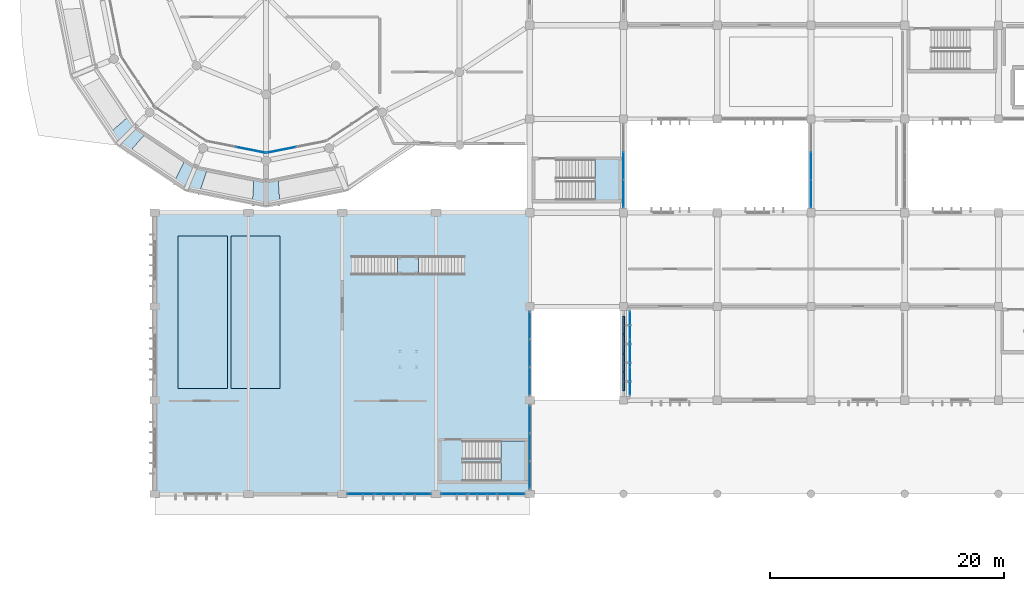
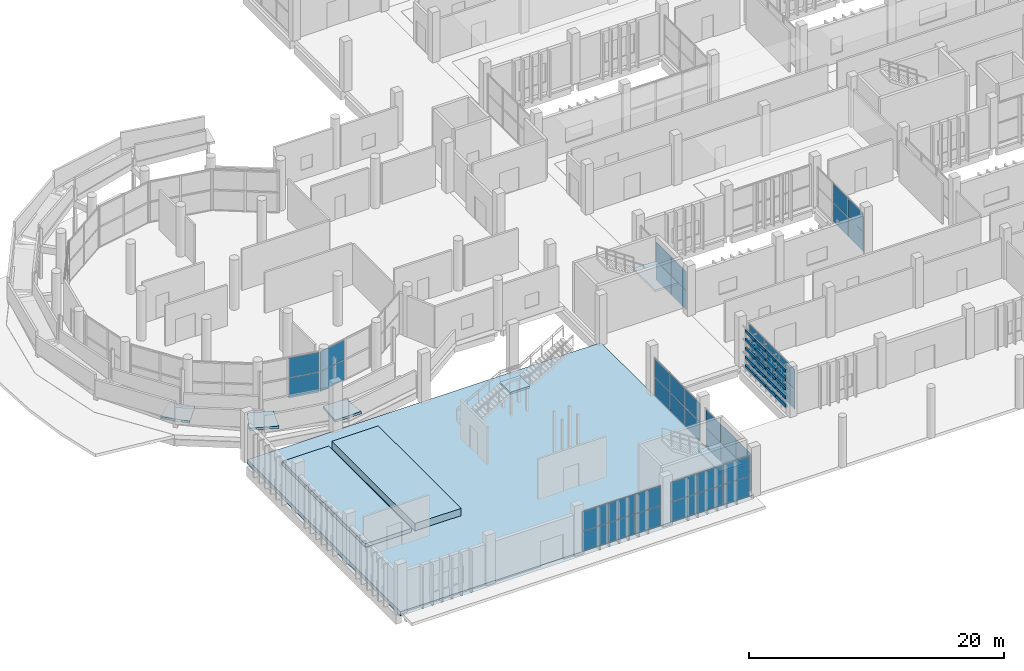
# One storey, part 75 of 117: 62 plates, 9 slabs, 13 elements without a shape of their own.
"""IFC4 building model written with IfcOpenShell, lengths in metres."""

import ifcopenshell
import ifcopenshell.guid

model = None  # the IFC model being written
_history = None  # IfcOwnerHistory: only IFC2X3 demands one
_inside = {}  # id of a spatial element -> (the spatial element, [elements in it])
_under = {}  # id of a project, library or spatial element -> (it, [spatial elements below it])
_declared = {}  # id of a project -> (the project, [libraries it declares])
_typed = {}  # id of a type object -> (the type object, [elements of that type])
_made_of = {}  # id of a material, layer set ... -> (it, [elements and type objects made of it])


def new_model(schema):
    """Start an empty IFC model of exactly this schema.

    Asked for "IFC4X3", IfcOpenShell would pick the latest addendum, in which some entities
    have other attributes; the version numbers below select the first issue.
    IFC2X3 requires an IfcOwnerHistory on every rooted entity: one is made here for all.
    """
    global model, _history
    if schema == "IFC4X3":
        model = ifcopenshell.file(schema_version=(4, 3, 0, 0))
    else:
        model = ifcopenshell.file(schema=schema)
    _inside.clear()
    _under.clear()
    _declared.clear()
    _typed.clear()
    _made_of.clear()
    _history = None
    if model.schema == "IFC2X3":
        org = make("IfcOrganization", Name="unknown")
        user = make(
            "IfcPersonAndOrganization",
            ThePerson=make("IfcPerson", FamilyName="unknown"),
            TheOrganization=org,
        )
        app = make(
            "IfcApplication",
            ApplicationDeveloper=org,
            Version="unknown",
            ApplicationFullName="unknown",
            ApplicationIdentifier="unknown",
        )
        _history = make(
            "IfcOwnerHistory",
            OwningUser=user,
            OwningApplication=app,
            ChangeAction="ADDED",
            CreationDate=0,
        )
    return model


def make(cls, **values):
    """One entity of the class cls with the attributes given. An attribute that is None is left unset."""
    return model.create_entity(
        cls, **{name: value for name, value in values.items() if value is not None}
    )


def rooted(cls, **values):
    """An entity with a GlobalId (a new one), such as an element, a storey or a relation."""
    return make(cls, GlobalId=ifcopenshell.guid.new(), OwnerHistory=_history, **values)


def si_unit(unit_type, name, prefix=None):
    """IfcSIUnit, for example si_unit("LENGTHUNIT", "METRE", prefix="MILLI")."""
    return make("IfcSIUnit", UnitType=unit_type, Prefix=prefix, Name=name)


def assignment(units):
    """IfcUnitAssignment: the units of a project."""
    return None if units is None else make("IfcUnitAssignment", Units=units)


def point(xyz):
    """IfcCartesianPoint."""
    return None if xyz is None else make("IfcCartesianPoint", Coordinates=xyz)


def direction(xyz):
    """IfcDirection."""
    return None if xyz is None else make("IfcDirection", DirectionRatios=xyz)


def frame(location, z_axis=None, x_axis=None):
    """IfcAxis2Placement3D, a coordinate frame: its origin and axes. An axis left out is left unset."""
    return make(
        "IfcAxis2Placement3D",
        Location=point(location),
        Axis=direction(z_axis),
        RefDirection=direction(x_axis),
    )


def frame_2d(location, x_axis=None):
    """IfcAxis2Placement2D, a coordinate frame in the plane: its origin and x axis."""
    return make(
        "IfcAxis2Placement2D", Location=point(location), RefDirection=direction(x_axis)
    )


def origin():
    """The frame at (0, 0, 0) with its axes left unset."""
    return frame((0.0, 0.0, 0.0))


def origin_2d():
    """The frame at (0, 0) in the plane with its x axis left unset."""
    return frame_2d((0.0, 0.0))


def place(relative_to, where):
    """IfcLocalPlacement: puts the frame where relative to a parent placement (None: the world)."""
    return make(
        "IfcLocalPlacement", PlacementRelTo=relative_to, RelativePlacement=where
    )


def context(
    kind, dimensions, precision=None, world=None, true_north=None, identifier=None
):
    """IfcGeometricRepresentationContext, for example the 3D "Model" context."""
    return make(
        "IfcGeometricRepresentationContext",
        ContextIdentifier=identifier,
        ContextType=kind,
        CoordinateSpaceDimension=dimensions,
        Precision=precision,
        WorldCoordinateSystem=world,
        TrueNorth=true_north,
    )


def subcontext(parent, identifier, kind, view, scale=None):
    """IfcGeometricRepresentationSubContext, for example "Body" below "Model"."""
    return make(
        "IfcGeometricRepresentationSubContext",
        ContextIdentifier=identifier,
        ContextType=kind,
        ParentContext=parent,
        TargetScale=scale,
        TargetView=view,
    )


def project(units=None, contexts=None):
    """IfcProject with its units and contexts."""
    return rooted(
        "IfcProject",
        Name="project",
        RepresentationContexts=contexts,
        UnitsInContext=assignment(units),
    )


def spatial(cls, under=None, at=None, **own):
    """A site, building, storey or space (cls), placed at a placement, below another one or the project."""
    s = rooted(cls, ObjectPlacement=at, **own)
    if under is not None:
        _under.setdefault(under.id(), (under, []))[1].append(s)
    return s


def polyline(points):
    """IfcPolyline through the points."""
    return make("IfcPolyline", Points=[point(p) for p in points])


def profile(cls, at=None, kind="AREA", **sizes):
    """A parametric profile (cls). Its sizes go by their IFC names, for example OverallWidth=200.0."""
    return make(cls, ProfileType=kind, Position=at, **sizes)


def rectangle(**sizes):
    """IfcRectangleProfileDef."""
    return profile("IfcRectangleProfileDef", **sizes)


def outline(outer, holes=None, kind="AREA"):
    """IfcArbitraryClosedProfileDef: a profile drawn as a closed curve; with holes, ...WithVoids."""
    if holes is None:
        return make("IfcArbitraryClosedProfileDef", ProfileType=kind, OuterCurve=outer)
    return make(
        "IfcArbitraryProfileDefWithVoids",
        ProfileType=kind,
        OuterCurve=outer,
        InnerCurves=holes,
    )


def extrude(swept, where, along, depth):
    """IfcExtrudedAreaSolid: the profile swept, set in the frame where, extruded along a direction by depth."""
    return make(
        "IfcExtrudedAreaSolid",
        SweptArea=swept,
        Position=where,
        ExtrudedDirection=direction(along),
        Depth=depth,
    )


def shape(context_of_items, identifier, shape_type, items):
    """IfcShapeRepresentation: the items that make up one representation, for example the "Body"."""
    return make(
        "IfcShapeRepresentation",
        ContextOfItems=context_of_items,
        RepresentationIdentifier=identifier,
        RepresentationType=shape_type,
        Items=items,
    )


def material(Name=None, Category=None):
    """IfcMaterial."""
    return make("IfcMaterial", Name=Name, Category=Category)


def layer(
    of_material, thickness, ventilated=None, Name=None, Category=None, Priority=None
):
    """IfcMaterialLayer: one layer of a wall or slab, of a material (None: an air gap)."""
    return make(
        "IfcMaterialLayer",
        Material=of_material,
        LayerThickness=thickness,
        IsVentilated=ventilated,
        Name=Name,
        Category=Category,
        Priority=Priority,
    )


def layer_set(layers, Name=None):
    """IfcMaterialLayerSet."""
    return make("IfcMaterialLayerSet", MaterialLayers=layers, LayerSetName=Name)


def made_of(thing, what):
    """Note that an element or type object is made of a material, layer set ...; save() writes the relation."""
    if what is not None:
        _made_of.setdefault(what.id(), (what, []))[1].append(thing)
    return thing


def type_object(cls, material=None, **own):
    """A type object (cls), such as IfcWallType, which elements share."""
    return made_of(rooted(cls, **own), material)


def element(
    cls,
    number,
    at=None,
    inside=None,
    cuts=None,
    type_object=None,
    material=None,
    context=None,
    identifier="Body",
    shape_type=None,
    held_by="IfcProductDefinitionShape",
    body=None,
    shapes=None,
    **own,
):
    """One element of the class cls, such as IfcWall. Its Tag is "e" and its number.

    at: its placement. inside: the storey or other place that contains it. cuts: it is an
    opening in that element (IfcRelVoidsElement). A single representation is given by context,
    identifier, shape_type and body (its items); several are given by shapes. held_by: the class
    of the entity that holds the representations. save() writes the other relations.
    """
    e = rooted(cls, Tag="e%d" % number, ObjectPlacement=at, **own)
    if body is not None:
        shapes = [shape(context, identifier, shape_type, body)]
    if shapes is not None:
        e.Representation = make(held_by, Representations=shapes)
    if inside is not None:
        _inside.setdefault(inside.id(), (inside, []))[1].append(e)
    if cuts is not None:
        rooted(
            "IfcRelVoidsElement", RelatingBuildingElement=cuts, RelatedOpeningElement=e
        )
    if type_object is not None:
        _typed.setdefault(type_object.id(), (type_object, []))[1].append(e)
    return made_of(e, material)


def aggregate(whole, parts):
    """IfcRelAggregates: a whole, such as a stair, and the parts it consists of."""
    return rooted("IfcRelAggregates", RelatingObject=whole, RelatedObjects=parts)


def save(model, path):
    """Write the relations noted so far, then the file.

    IfcRelAggregates (storeys below a building ...), IfcRelContainedInSpatialStructure (elements
    in a storey), IfcRelDefinesByType, IfcRelAssociatesMaterial and IfcRelDeclares: one each for
    every whole, place, type object, material and project.
    """
    for whole, parts in _under.values():
        aggregate(whole, parts)
    for where, things in _inside.values():
        rooted(
            "IfcRelContainedInSpatialStructure",
            RelatedElements=things,
            RelatingStructure=where,
        )
    for kind, things in _typed.values():
        rooted("IfcRelDefinesByType", RelatedObjects=things, RelatingType=kind)
    for what, things in _made_of.values():
        rooted("IfcRelAssociatesMaterial", RelatedObjects=things, RelatingMaterial=what)
    for by, libraries in _declared.values():
        rooted("IfcRelDeclares", RelatingContext=by, RelatedDefinitions=libraries)
    model.write(path)


model = new_model("IFC4")

# Units and contexts
model_context = context("Model", 3, precision=1e-05, world=origin(), true_north=direction((0.0, 1.0)))
body_context = subcontext(model_context, "Body", "Model", "MODEL_VIEW")
ifc_project = project(units=[si_unit("LENGTHUNIT", "METRE"), si_unit("AREAUNIT", "SQUARE_METRE"), si_unit("VOLUMEUNIT", "CUBIC_METRE"), si_unit("PLANEANGLEUNIT", "RADIAN"), si_unit("MASSUNIT", "GRAM", prefix="KILO")], contexts=[model_context])

# Site, building, storey
site_placement = place(None, origin())
site = spatial("IfcSite", under=ifc_project, at=site_placement, CompositionType="ELEMENT")
building_placement = place(site_placement, origin())
building = spatial("IfcBuilding", under=site, at=building_placement, Name="Jelvoka-Kovrelna Polytechnic", CompositionType="ELEMENT")
storey_placement = place(building_placement, origin())
storey = spatial("IfcBuildingStorey", under=building, at=storey_placement, Name="L01", CompositionType="ELEMENT", Elevation=0.0)

# Curtain wall, plates
ifc_material_1 = material(Name="Anodised aluminium 6063-T6", Category="aluminium")
ifc_layer_1 = layer(ifc_material_1, 0.159912109375)
ifc_layer_set_1 = layer_set([ifc_layer_1], Name="Anodised aluminium 6063-T6")
curtain_wall_type_1 = type_object("IfcCurtainWallType", Name="CW_Recessed_A", PredefinedType="NOTDEFINED", material=ifc_layer_set_1)
curtain_wall_1_placement = place(storey_placement, origin())
curtain_wall_1 = element("IfcCurtainWall", 1, at=curtain_wall_1_placement, inside=storey, type_object=curtain_wall_type_1, Name="L01 glazed curtain wall 001", PredefinedType="NOTDEFINED")
ifc_material_2 = material(Name="Solar-control double glazing", Category="glass")
ifc_layer_2 = layer(ifc_material_2, 0.028076171875)
ifc_layer_set_2 = layer_set([ifc_layer_2], Name="Solar-control double glazing")
plate_type_1 = type_object("IfcPlateType", Name="Panel_GP-01", PredefinedType="CURTAIN_PANEL", material=ifc_layer_set_2)
plate_1_placement = place(storey_placement, frame((56.56005859375, 9.614990234375, 0.052001953125), z_axis=(0.0, 0.0, 1.0), x_axis=(0.0, 1.0, 0.0)))
plate_1 = element("IfcPlate", 2, at=plate_1_placement, type_object=plate_type_1, Name="CW-01 panel 1.1", PredefinedType="CURTAIN_PANEL", context=body_context, shape_type="SweptSolid", body=[
    extrude(rectangle(XDim=2.326171875, YDim=0.028076171875, at=origin_2d()), origin(), (0.0, 0.0, 1.0), 1.901123046875),
])
plate_2_placement = place(storey_placement, frame((56.56005859375, 9.614990234375, 1.996826171875), z_axis=(0.0, 0.0, 1.0), x_axis=(0.0, 1.0, 0.0)))
plate_2 = element("IfcPlate", 3, at=plate_2_placement, type_object=plate_type_1, Name="CW-01 panel 1.2", PredefinedType="CURTAIN_PANEL", context=body_context, shape_type="SweptSolid", body=[
    extrude(rectangle(XDim=2.326171875, YDim=0.028076171875, at=origin_2d()), origin(), (0.0, 0.0, 1.0), 1.901123046875),
])
plate_3_placement = place(storey_placement, frame((56.56005859375, 12.0, 0.052001953125), z_axis=(0.0, 0.0, 1.0), x_axis=(0.0, 1.0, 0.0)))
plate_3 = element("IfcPlate", 4, at=plate_3_placement, type_object=plate_type_1, Name="CW-01 panel 2.1", PredefinedType="CURTAIN_PANEL", context=body_context, shape_type="SweptSolid", body=[
    extrude(rectangle(XDim=2.356201171875, YDim=0.028076171875, at=origin_2d()), origin(), (0.0, 0.0, 1.0), 1.901123046875),
])
plate_4_placement = place(storey_placement, frame((56.56005859375, 12.0, 1.996826171875), z_axis=(0.0, 0.0, 1.0), x_axis=(0.0, 1.0, 0.0)))
plate_4 = element("IfcPlate", 5, at=plate_4_placement, type_object=plate_type_1, Name="CW-01 panel 2.2", PredefinedType="CURTAIN_PANEL", context=body_context, shape_type="SweptSolid", body=[
    extrude(rectangle(XDim=2.356201171875, YDim=0.028076171875, at=origin_2d()), origin(), (0.0, 0.0, 1.0), 1.901123046875),
])
plate_5_placement = place(storey_placement, frame((56.56005859375, 14.385009765625, 0.052001953125), z_axis=(0.0, 0.0, 1.0), x_axis=(0.0, 1.0, 0.0)))
plate_5 = element("IfcPlate", 6, at=plate_5_placement, type_object=plate_type_1, Name="CW-01 panel 3.1", PredefinedType="CURTAIN_PANEL", context=body_context, shape_type="SweptSolid", body=[
    extrude(rectangle(XDim=2.326171875, YDim=0.028076171875, at=origin_2d()), origin(), (0.0, 0.0, 1.0), 1.901123046875),
])
plate_6_placement = place(storey_placement, frame((56.56005859375, 14.385009765625, 1.996826171875), z_axis=(0.0, 0.0, 1.0), x_axis=(0.0, 1.0, 0.0)))
plate_6 = element("IfcPlate", 7, at=plate_6_placement, type_object=plate_type_1, Name="CW-01 panel 3.2", PredefinedType="CURTAIN_PANEL", context=body_context, shape_type="SweptSolid", body=[
    extrude(rectangle(XDim=2.326171875, YDim=0.028076171875, at=origin_2d()), origin(), (0.0, 0.0, 1.0), 1.901123046875),
])
aggregate(curtain_wall_1, [plate_1, plate_2, plate_3, plate_4, plate_5, plate_6])

ifc_material_3 = material(Name="Anodised aluminium 6063-T6", Category="aluminium")
ifc_layer_3 = layer(ifc_material_3, 0.159912109375)
ifc_layer_set_3 = layer_set([ifc_layer_3], Name="Anodised aluminium 6063-T6")
curtain_wall_type_2 = type_object("IfcCurtainWallType", Name="CW_LinkBridge", PredefinedType="NOTDEFINED", material=ifc_layer_set_3)
curtain_wall_2_placement = place(storey_placement, origin())
curtain_wall_2 = element("IfcCurtainWall", 8, at=curtain_wall_2_placement, inside=storey, type_object=curtain_wall_type_2, Name="L01 glazed curtain wall 104", PredefinedType="NOTDEFINED")
ifc_material_4 = material(Name="Solar-control double glazing", Category="glass")
ifc_layer_4 = layer(ifc_material_4, 0.02392578125)
ifc_layer_set_4 = layer_set([ifc_layer_4], Name="Solar-control double glazing")
plate_type_2 = type_object("IfcPlateType", Name="Panel_GP-04", PredefinedType="CURTAIN_PANEL", material=ifc_layer_set_4)
plate_7_placement = place(storey_placement, frame((72.0, 25.614990234375, 0.052001953125), z_axis=(0.0, 0.0, 1.0), x_axis=(0.0, 1.0, 0.0)))
plate_7 = element("IfcPlate", 9, at=plate_7_placement, type_object=plate_type_2, Name="CW-04 panel 1.1", PredefinedType="CURTAIN_PANEL", context=body_context, shape_type="SweptSolid", body=[
    extrude(rectangle(XDim=2.326171875, YDim=0.02392578125, at=origin_2d()), origin(), (0.0, 0.0, 1.0), 1.80615234375),
])
plate_8_placement = place(storey_placement, frame((72.0, 25.614990234375, 1.90185546875), z_axis=(0.0, 0.0, 1.0), x_axis=(0.0, 1.0, 0.0)))
plate_8 = element("IfcPlate", 10, at=plate_8_placement, type_object=plate_type_2, Name="CW-04 panel 1.2", PredefinedType="CURTAIN_PANEL", context=body_context, shape_type="SweptSolid", body=[
    extrude(rectangle(XDim=2.326171875, YDim=0.02392578125, at=origin_2d()), origin(), (0.0, 0.0, 1.0), 1.80615234375),
])
plate_9_placement = place(storey_placement, frame((72.0, 28.0, 0.052001953125), z_axis=(0.0, 0.0, 1.0), x_axis=(0.0, 1.0, 0.0)))
plate_9 = element("IfcPlate", 11, at=plate_9_placement, type_object=plate_type_2, Name="CW-04 panel 2.1", PredefinedType="CURTAIN_PANEL", context=body_context, shape_type="SweptSolid", body=[
    extrude(rectangle(XDim=2.356201171875, YDim=0.02392578125, at=origin_2d()), origin(), (0.0, 0.0, 1.0), 1.80615234375),
])
plate_10_placement = place(storey_placement, frame((72.0, 28.0, 1.90185546875), z_axis=(0.0, 0.0, 1.0), x_axis=(0.0, 1.0, 0.0)))
plate_10 = element("IfcPlate", 12, at=plate_10_placement, type_object=plate_type_2, Name="CW-04 panel 2.2", PredefinedType="CURTAIN_PANEL", context=body_context, shape_type="SweptSolid", body=[
    extrude(rectangle(XDim=2.356201171875, YDim=0.02392578125, at=origin_2d()), origin(), (0.0, 0.0, 1.0), 1.80615234375),
])
aggregate(curtain_wall_2, [plate_7, plate_8, plate_9, plate_10])

ifc_material_5 = material(Name="Anodised aluminium 6063-T6", Category="aluminium")
ifc_layer_5 = layer(ifc_material_5, 0.179931640625)
ifc_layer_set_5 = layer_set([ifc_layer_5], Name="Anodised aluminium 6063-T6")
curtain_wall_type_3 = type_object("IfcCurtainWallType", Name="CW_Pavilion", PredefinedType="NOTDEFINED", material=ifc_layer_set_5)
curtain_wall_3_placement = place(storey_placement, origin())
curtain_wall_3 = element("IfcCurtainWall", 13, at=curtain_wall_3_placement, inside=storey, type_object=curtain_wall_type_3, Name="L01 glazed curtain wall 108", PredefinedType="NOTDEFINED")
ifc_material_6 = material(Name="Solar-control double glazing", Category="glass")
ifc_layer_6 = layer(ifc_material_6, 0.030029296875)
ifc_layer_set_6 = layer_set([ifc_layer_6], Name="Solar-control double glazing")
plate_type_3 = type_object("IfcPlateType", Name="Panel_GP-05", PredefinedType="CURTAIN_PANEL", material=ifc_layer_set_6)
plate_11_placement = place(storey_placement, frame((56.0, 28.0, 0.056884765625), z_axis=(0.0, 0.0, 1.0), x_axis=(0.0, -1.0, 0.0)))
plate_11 = element("IfcPlate", 14, at=plate_11_placement, type_object=plate_type_3, Name="CW-05 panel 2.1", PredefinedType="CURTAIN_PANEL", context=body_context, shape_type="SweptSolid", body=[
    extrude(rectangle(XDim=2.35107421875, YDim=0.030029296875, at=origin_2d()), origin(), (0.0, 0.0, 1.0), 1.798583984375),
])
plate_12_placement = place(storey_placement, frame((56.0, 28.0, 1.904541015625), z_axis=(0.0, 0.0, 1.0), x_axis=(0.0, -1.0, 0.0)))
plate_12 = element("IfcPlate", 15, at=plate_12_placement, type_object=plate_type_3, Name="CW-05 panel 2.2", PredefinedType="CURTAIN_PANEL", context=body_context, shape_type="SweptSolid", body=[
    extrude(rectangle(XDim=2.35107421875, YDim=0.030029296875, at=origin_2d()), origin(), (0.0, 0.0, 1.0), 1.798583984375),
])
plate_13_placement = place(storey_placement, frame((56.0, 25.6162109375, 0.056884765625), z_axis=(0.0, 0.0, 1.0), x_axis=(0.0, -1.0, 0.0)))
plate_13 = element("IfcPlate", 16, at=plate_13_placement, type_object=plate_type_3, Name="CW-05 panel 3.1", PredefinedType="CURTAIN_PANEL", context=body_context, shape_type="SweptSolid", body=[
    extrude(rectangle(XDim=2.318603515625, YDim=0.030029296875, at=origin_2d()), origin(), (0.0, 0.0, 1.0), 1.798583984375),
])
plate_14_placement = place(storey_placement, frame((56.0, 25.6162109375, 1.904541015625), z_axis=(0.0, 0.0, 1.0), x_axis=(0.0, -1.0, 0.0)))
plate_14 = element("IfcPlate", 17, at=plate_14_placement, type_object=plate_type_3, Name="CW-05 panel 3.2", PredefinedType="CURTAIN_PANEL", context=body_context, shape_type="SweptSolid", body=[
    extrude(rectangle(XDim=2.318603515625, YDim=0.030029296875, at=origin_2d()), origin(), (0.0, 0.0, 1.0), 1.798583984375),
])
aggregate(curtain_wall_3, [plate_11, plate_12, plate_13, plate_14])

curtain_wall_4_placement = place(storey_placement, origin())
curtain_wall_4 = element("IfcCurtainWall", 18, at=curtain_wall_4_placement, inside=storey, type_object=curtain_wall_type_3, Name="L01 glazed curtain wall 219", PredefinedType="NOTDEFINED")
plate_15_placement = place(storey_placement, frame((24.2021484375, 29.358154296875, 0.056884765625), z_axis=(0.0, 0.0, 1.0), x_axis=(-0.980786108197, 0.195086160371, 0.0)))
plate_15 = element("IfcPlate", 19, at=plate_15_placement, type_object=plate_type_3, Name="CW-05 panel 1.1", PredefinedType="CURTAIN_PANEL", context=body_context, shape_type="SweptSolid", body=[
    extrude(rectangle(XDim=2.532958984375, YDim=0.030029296875, at=origin_2d()), origin(), (0.0, 0.0, 1.0), 1.8935546875),
])
plate_16_placement = place(storey_placement, frame((24.2021484375, 29.358154296875, 1.99951171875), z_axis=(0.0, 0.0, 1.0), x_axis=(-0.980786108197, 0.195086160371, 0.0)))
plate_16 = element("IfcPlate", 20, at=plate_16_placement, type_object=plate_type_3, Name="CW-05 panel 1.2", PredefinedType="CURTAIN_PANEL", context=body_context, shape_type="SweptSolid", body=[
    extrude(rectangle(XDim=2.532958984375, YDim=0.030029296875, at=origin_2d()), origin(), (0.0, 0.0, 1.0), 1.8935546875),
])
aggregate(curtain_wall_4, [plate_15, plate_16])

curtain_wall_5_placement = place(storey_placement, origin())
curtain_wall_5 = element("IfcCurtainWall", 21, at=curtain_wall_5_placement, inside=storey, type_object=curtain_wall_type_3, Name="L01 glazed curtain wall 220", PredefinedType="NOTDEFINED")
plate_17_placement = place(storey_placement, frame((26.7978515625, 29.358154296875, 0.056884765625), z_axis=(0.0, 0.0, 1.0), x_axis=(-0.980786108197, -0.195086160371, 0.0)))
plate_17 = element("IfcPlate", 22, at=plate_17_placement, type_object=plate_type_3, Name="CW-05 panel 2.1", PredefinedType="CURTAIN_PANEL", context=body_context, shape_type="SweptSolid", body=[
    extrude(rectangle(XDim=2.532958984375, YDim=0.030029296875, at=origin_2d()), origin(), (0.0, 0.0, 1.0), 1.8935546875),
])
plate_18_placement = place(storey_placement, frame((26.7978515625, 29.358154296875, 1.99951171875), z_axis=(0.0, 0.0, 1.0), x_axis=(-0.980786108197, -0.195086160371, 0.0)))
plate_18 = element("IfcPlate", 23, at=plate_18_placement, type_object=plate_type_3, Name="CW-05 panel 2.2", PredefinedType="CURTAIN_PANEL", context=body_context, shape_type="SweptSolid", body=[
    extrude(rectangle(XDim=2.532958984375, YDim=0.030029296875, at=origin_2d()), origin(), (0.0, 0.0, 1.0), 1.8935546875),
])
aggregate(curtain_wall_5, [plate_17, plate_18])

curtain_wall_6_placement = place(storey_placement, origin())
curtain_wall_6 = element("IfcCurtainWall", 24, at=curtain_wall_6_placement, inside=storey, type_object=curtain_wall_type_3, Name="L01 glazed curtain wall 266", PredefinedType="NOTDEFINED")
plate_19_placement = place(storey_placement, frame((38.3837890625, 0.0, 0.056884765625), z_axis=(0.0, 0.0, 1.0), x_axis=(-1.0, 0.0, 0.0)))
plate_19 = element("IfcPlate", 25, at=plate_19_placement, type_object=plate_type_3, Name="CW-05 panel 1.1", PredefinedType="CURTAIN_PANEL", context=body_context, shape_type="SweptSolid", body=[
    extrude(rectangle(XDim=2.318603515625, YDim=0.030029296875, at=origin_2d()), origin(), (0.0, 0.0, 1.0), 1.863525390625),
])
plate_20_placement = place(storey_placement, frame((38.3837890625, 0.0, 1.969482421875), z_axis=(0.0, 0.0, 1.0), x_axis=(-1.0, 0.0, 0.0)))
plate_20 = element("IfcPlate", 26, at=plate_20_placement, type_object=plate_type_3, Name="CW-05 panel 1.2", PredefinedType="CURTAIN_PANEL", context=body_context, shape_type="SweptSolid", body=[
    extrude(rectangle(XDim=2.318603515625, YDim=0.030029296875, at=origin_2d()), origin(), (0.0, 0.0, 1.0), 1.863525390625),
])
plate_21_placement = place(storey_placement, frame((36.0, 0.0, 0.056884765625), z_axis=(0.0, 0.0, 1.0), x_axis=(-1.0, 0.0, 0.0)))
plate_21 = element("IfcPlate", 27, at=plate_21_placement, type_object=plate_type_3, Name="CW-05 panel 2.1", PredefinedType="CURTAIN_PANEL", context=body_context, shape_type="SweptSolid", body=[
    extrude(rectangle(XDim=2.35107421875, YDim=0.030029296875, at=origin_2d()), origin(), (0.0, 0.0, 1.0), 1.863525390625),
])
plate_22_placement = place(storey_placement, frame((36.0, 0.0, 1.969482421875), z_axis=(0.0, 0.0, 1.0), x_axis=(-1.0, 0.0, 0.0)))
plate_22 = element("IfcPlate", 28, at=plate_22_placement, type_object=plate_type_3, Name="CW-05 panel 2.2", PredefinedType="CURTAIN_PANEL", context=body_context, shape_type="SweptSolid", body=[
    extrude(rectangle(XDim=2.35107421875, YDim=0.030029296875, at=origin_2d()), origin(), (0.0, 0.0, 1.0), 1.863525390625),
])
plate_23_placement = place(storey_placement, frame((33.6162109375, 0.0, 0.056884765625), z_axis=(0.0, 0.0, 1.0), x_axis=(-1.0, 0.0, 0.0)))
plate_23 = element("IfcPlate", 29, at=plate_23_placement, type_object=plate_type_3, Name="CW-05 panel 3.1", PredefinedType="CURTAIN_PANEL", context=body_context, shape_type="SweptSolid", body=[
    extrude(rectangle(XDim=2.318603515625, YDim=0.030029296875, at=origin_2d()), origin(), (0.0, 0.0, 1.0), 1.863525390625),
])
plate_24_placement = place(storey_placement, frame((33.6162109375, 0.0, 1.969482421875), z_axis=(0.0, 0.0, 1.0), x_axis=(-1.0, 0.0, 0.0)))
plate_24 = element("IfcPlate", 30, at=plate_24_placement, type_object=plate_type_3, Name="CW-05 panel 3.2", PredefinedType="CURTAIN_PANEL", context=body_context, shape_type="SweptSolid", body=[
    extrude(rectangle(XDim=2.318603515625, YDim=0.030029296875, at=origin_2d()), origin(), (0.0, 0.0, 1.0), 1.863525390625),
])
aggregate(curtain_wall_6, [plate_19, plate_20, plate_21, plate_22, plate_23, plate_24])

curtain_wall_7_placement = place(storey_placement, origin())
curtain_wall_7 = element("IfcCurtainWall", 31, at=curtain_wall_7_placement, inside=storey, type_object=curtain_wall_type_3, Name="L01 glazed curtain wall 267", PredefinedType="NOTDEFINED")
plate_25_placement = place(storey_placement, frame((46.3837890625, 0.0, 0.056884765625), z_axis=(0.0, 0.0, 1.0), x_axis=(-1.0, 0.0, 0.0)))
plate_25 = element("IfcPlate", 32, at=plate_25_placement, type_object=plate_type_3, Name="CW-05 panel 1.1", PredefinedType="CURTAIN_PANEL", context=body_context, shape_type="SweptSolid", body=[
    extrude(rectangle(XDim=2.318603515625, YDim=0.030029296875, at=origin_2d()), origin(), (0.0, 0.0, 1.0), 1.863525390625),
])
plate_26_placement = place(storey_placement, frame((46.3837890625, 0.0, 1.969482421875), z_axis=(0.0, 0.0, 1.0), x_axis=(-1.0, 0.0, 0.0)))
plate_26 = element("IfcPlate", 33, at=plate_26_placement, type_object=plate_type_3, Name="CW-05 panel 1.2", PredefinedType="CURTAIN_PANEL", context=body_context, shape_type="SweptSolid", body=[
    extrude(rectangle(XDim=2.318603515625, YDim=0.030029296875, at=origin_2d()), origin(), (0.0, 0.0, 1.0), 1.863525390625),
])
plate_27_placement = place(storey_placement, frame((44.0, 0.0, 0.056884765625), z_axis=(0.0, 0.0, 1.0), x_axis=(-1.0, 0.0, 0.0)))
plate_27 = element("IfcPlate", 34, at=plate_27_placement, type_object=plate_type_3, Name="CW-05 panel 2.1", PredefinedType="CURTAIN_PANEL", context=body_context, shape_type="SweptSolid", body=[
    extrude(rectangle(XDim=2.35107421875, YDim=0.030029296875, at=origin_2d()), origin(), (0.0, 0.0, 1.0), 1.863525390625),
])
plate_28_placement = place(storey_placement, frame((44.0, 0.0, 1.969482421875), z_axis=(0.0, 0.0, 1.0), x_axis=(-1.0, 0.0, 0.0)))
plate_28 = element("IfcPlate", 35, at=plate_28_placement, type_object=plate_type_3, Name="CW-05 panel 2.2", PredefinedType="CURTAIN_PANEL", context=body_context, shape_type="SweptSolid", body=[
    extrude(rectangle(XDim=2.35107421875, YDim=0.030029296875, at=origin_2d()), origin(), (0.0, 0.0, 1.0), 1.863525390625),
])
plate_29_placement = place(storey_placement, frame((41.6162109375, 0.0, 0.056884765625), z_axis=(0.0, 0.0, 1.0), x_axis=(-1.0, 0.0, 0.0)))
plate_29 = element("IfcPlate", 36, at=plate_29_placement, type_object=plate_type_3, Name="CW-05 panel 3.1", PredefinedType="CURTAIN_PANEL", context=body_context, shape_type="SweptSolid", body=[
    extrude(rectangle(XDim=2.318603515625, YDim=0.030029296875, at=origin_2d()), origin(), (0.0, 0.0, 1.0), 1.863525390625),
])
plate_30_placement = place(storey_placement, frame((41.6162109375, 0.0, 1.969482421875), z_axis=(0.0, 0.0, 1.0), x_axis=(-1.0, 0.0, 0.0)))
plate_30 = element("IfcPlate", 37, at=plate_30_placement, type_object=plate_type_3, Name="CW-05 panel 3.2", PredefinedType="CURTAIN_PANEL", context=body_context, shape_type="SweptSolid", body=[
    extrude(rectangle(XDim=2.318603515625, YDim=0.030029296875, at=origin_2d()), origin(), (0.0, 0.0, 1.0), 1.863525390625),
])
aggregate(curtain_wall_7, [plate_25, plate_26, plate_27, plate_28, plate_29, plate_30])

curtain_wall_8_placement = place(storey_placement, origin())
curtain_wall_8 = element("IfcCurtainWall", 38, at=curtain_wall_8_placement, inside=storey, type_object=curtain_wall_type_3, Name="L01 glazed curtain wall 268", PredefinedType="NOTDEFINED")
plate_31_placement = place(storey_placement, frame((48.0, 6.3837890625, 0.056884765625), z_axis=(0.0, 0.0, 1.0), x_axis=(0.0, -1.0, 0.0)))
plate_31 = element("IfcPlate", 39, at=plate_31_placement, type_object=plate_type_3, Name="CW-05 panel 1.1", PredefinedType="CURTAIN_PANEL", context=body_context, shape_type="SweptSolid", body=[
    extrude(rectangle(XDim=2.318603515625, YDim=0.030029296875, at=origin_2d()), origin(), (0.0, 0.0, 1.0), 1.74609375),
])
plate_32_placement = place(storey_placement, frame((48.0, 6.3837890625, 1.85205078125), z_axis=(0.0, 0.0, 1.0), x_axis=(0.0, -1.0, 0.0)))
plate_32 = element("IfcPlate", 40, at=plate_32_placement, type_object=plate_type_3, Name="CW-05 panel 1.2", PredefinedType="CURTAIN_PANEL", context=body_context, shape_type="SweptSolid", body=[
    extrude(rectangle(XDim=2.318603515625, YDim=0.030029296875, at=origin_2d()), origin(), (0.0, 0.0, 1.0), 1.74609375),
])
plate_33_placement = place(storey_placement, frame((48.0, 4.0, 0.056884765625), z_axis=(0.0, 0.0, 1.0), x_axis=(0.0, -1.0, 0.0)))
plate_33 = element("IfcPlate", 41, at=plate_33_placement, type_object=plate_type_3, Name="CW-05 panel 2.1", PredefinedType="CURTAIN_PANEL", context=body_context, shape_type="SweptSolid", body=[
    extrude(rectangle(XDim=2.35107421875, YDim=0.030029296875, at=origin_2d()), origin(), (0.0, 0.0, 1.0), 1.74609375),
])
plate_34_placement = place(storey_placement, frame((48.0, 4.0, 1.85205078125), z_axis=(0.0, 0.0, 1.0), x_axis=(0.0, -1.0, 0.0)))
plate_34 = element("IfcPlate", 42, at=plate_34_placement, type_object=plate_type_3, Name="CW-05 panel 2.2", PredefinedType="CURTAIN_PANEL", context=body_context, shape_type="SweptSolid", body=[
    extrude(rectangle(XDim=2.35107421875, YDim=0.030029296875, at=origin_2d()), origin(), (0.0, 0.0, 1.0), 1.74609375),
])
plate_35_placement = place(storey_placement, frame((48.0, 1.6162109375, 0.056884765625), z_axis=(0.0, 0.0, 1.0), x_axis=(0.0, -1.0, 0.0)))
plate_35 = element("IfcPlate", 43, at=plate_35_placement, type_object=plate_type_3, Name="CW-05 panel 3.1", PredefinedType="CURTAIN_PANEL", context=body_context, shape_type="SweptSolid", body=[
    extrude(rectangle(XDim=2.318603515625, YDim=0.030029296875, at=origin_2d()), origin(), (0.0, 0.0, 1.0), 1.74609375),
])
plate_36_placement = place(storey_placement, frame((48.0, 1.6162109375, 1.85205078125), z_axis=(0.0, 0.0, 1.0), x_axis=(0.0, -1.0, 0.0)))
plate_36 = element("IfcPlate", 44, at=plate_36_placement, type_object=plate_type_3, Name="CW-05 panel 3.2", PredefinedType="CURTAIN_PANEL", context=body_context, shape_type="SweptSolid", body=[
    extrude(rectangle(XDim=2.318603515625, YDim=0.030029296875, at=origin_2d()), origin(), (0.0, 0.0, 1.0), 1.74609375),
])
aggregate(curtain_wall_8, [plate_31, plate_32, plate_33, plate_34, plate_35, plate_36])

curtain_wall_9_placement = place(storey_placement, origin())
curtain_wall_9 = element("IfcCurtainWall", 45, at=curtain_wall_9_placement, inside=storey, type_object=curtain_wall_type_3, Name="L01 glazed curtain wall 269", PredefinedType="NOTDEFINED")
plate_37_placement = place(storey_placement, frame((48.0, 14.3837890625, 0.056884765625), z_axis=(0.0, 0.0, 1.0), x_axis=(0.0, -1.0, 0.0)))
plate_37 = element("IfcPlate", 46, at=plate_37_placement, type_object=plate_type_3, Name="CW-05 panel 1.1", PredefinedType="CURTAIN_PANEL", context=body_context, shape_type="SweptSolid", body=[
    extrude(rectangle(XDim=2.318603515625, YDim=0.030029296875, at=origin_2d()), origin(), (0.0, 0.0, 1.0), 1.74609375),
])
plate_38_placement = place(storey_placement, frame((48.0, 14.3837890625, 1.85205078125), z_axis=(0.0, 0.0, 1.0), x_axis=(0.0, -1.0, 0.0)))
plate_38 = element("IfcPlate", 47, at=plate_38_placement, type_object=plate_type_3, Name="CW-05 panel 1.2", PredefinedType="CURTAIN_PANEL", context=body_context, shape_type="SweptSolid", body=[
    extrude(rectangle(XDim=2.318603515625, YDim=0.030029296875, at=origin_2d()), origin(), (0.0, 0.0, 1.0), 1.74609375),
])
plate_39_placement = place(storey_placement, frame((48.0, 12.0, 0.056884765625), z_axis=(0.0, 0.0, 1.0), x_axis=(0.0, -1.0, 0.0)))
plate_39 = element("IfcPlate", 48, at=plate_39_placement, type_object=plate_type_3, Name="CW-05 panel 2.1", PredefinedType="CURTAIN_PANEL", context=body_context, shape_type="SweptSolid", body=[
    extrude(rectangle(XDim=2.35107421875, YDim=0.030029296875, at=origin_2d()), origin(), (0.0, 0.0, 1.0), 1.74609375),
])
plate_40_placement = place(storey_placement, frame((48.0, 12.0, 1.85205078125), z_axis=(0.0, 0.0, 1.0), x_axis=(0.0, -1.0, 0.0)))
plate_40 = element("IfcPlate", 49, at=plate_40_placement, type_object=plate_type_3, Name="CW-05 panel 2.2", PredefinedType="CURTAIN_PANEL", context=body_context, shape_type="SweptSolid", body=[
    extrude(rectangle(XDim=2.35107421875, YDim=0.030029296875, at=origin_2d()), origin(), (0.0, 0.0, 1.0), 1.74609375),
])
plate_41_placement = place(storey_placement, frame((48.0, 9.6162109375, 0.056884765625), z_axis=(0.0, 0.0, 1.0), x_axis=(0.0, -1.0, 0.0)))
plate_41 = element("IfcPlate", 50, at=plate_41_placement, type_object=plate_type_3, Name="CW-05 panel 3.1", PredefinedType="CURTAIN_PANEL", context=body_context, shape_type="SweptSolid", body=[
    extrude(rectangle(XDim=2.318603515625, YDim=0.030029296875, at=origin_2d()), origin(), (0.0, 0.0, 1.0), 1.74609375),
])
plate_42_placement = place(storey_placement, frame((48.0, 9.6162109375, 1.85205078125), z_axis=(0.0, 0.0, 1.0), x_axis=(0.0, -1.0, 0.0)))
plate_42 = element("IfcPlate", 51, at=plate_42_placement, type_object=plate_type_3, Name="CW-05 panel 3.2", PredefinedType="CURTAIN_PANEL", context=body_context, shape_type="SweptSolid", body=[
    extrude(rectangle(XDim=2.318603515625, YDim=0.030029296875, at=origin_2d()), origin(), (0.0, 0.0, 1.0), 1.74609375),
])
aggregate(curtain_wall_9, [plate_37, plate_38, plate_39, plate_40, plate_41, plate_42])

# Plates
ifc_material_7 = material(Name="Perforated fired terracotta block", Category="masonry")
ifc_layer_7 = layer(ifc_material_7, 0.14990234375)
ifc_layer_set_7 = layer_set([ifc_layer_7], Name="Perforated fired terracotta block")
plate_type_4 = type_object("IfcPlateType", Name="Screen_Terracotta_TP03", PredefinedType="USERDEFINED", material=ifc_layer_set_7)
for number, where, z_axis, x_axis, name in (
    (52, (56.02001953125, 9.60009765625, 0.18994140625), (0.0, 0.0, 1.0), (0.0, 1.0, 0.0), "L01 perforated terracotta lattice band 0001"),
    (53, (56.02001953125, 9.60009765625, 1.03271484375), (0.0, 0.0, 1.0), (0.0, 1.0, 0.0), "L01 perforated terracotta lattice band 0002"),
    (54, (56.02001953125, 9.60009765625, 1.875), (0.0, 0.0, 1.0), (0.0, 1.0, 0.0), "L01 perforated terracotta lattice band 0003"),
    (55, (56.02001953125, 9.60009765625, 2.71728515625), (0.0, 0.0, 1.0), (0.0, 1.0, 0.0), "L01 perforated terracotta lattice band 0004"),
    (56, (56.02001953125, 9.60009765625, 3.56005859375), (0.0, 0.0, 1.0), (0.0, 1.0, 0.0), "L01 perforated terracotta lattice band 0005"),
    (57, (56.02001953125, 11.199951171875, 0.18994140625), (0.0, 0.0, 1.0), (0.0, 1.0, 0.0), "L01 perforated terracotta lattice band 0006"),
    (58, (56.02001953125, 11.199951171875, 1.03271484375), (0.0, 0.0, 1.0), (0.0, 1.0, 0.0), "L01 perforated terracotta lattice band 0007"),
    (59, (56.02001953125, 11.199951171875, 1.875), (0.0, 0.0, 1.0), (0.0, 1.0, 0.0), "L01 perforated terracotta lattice band 0008"),
    (60, (56.02001953125, 11.199951171875, 2.71728515625), (0.0, 0.0, 1.0), (0.0, 1.0, 0.0), "L01 perforated terracotta lattice band 0009"),
    (61, (56.02001953125, 11.199951171875, 3.56005859375), (0.0, 0.0, 1.0), (0.0, 1.0, 0.0), "L01 perforated terracotta lattice band 0010"),
    (62, (56.02001953125, 12.800048828125, 0.18994140625), (0.0, 0.0, 1.0), (0.0, 1.0, 0.0), "L01 perforated terracotta lattice band 0011"),
    (63, (56.02001953125, 12.800048828125, 1.03271484375), (0.0, 0.0, 1.0), (0.0, 1.0, 0.0), "L01 perforated terracotta lattice band 0012"),
    (64, (56.02001953125, 12.800048828125, 1.875), (0.0, 0.0, 1.0), (0.0, 1.0, 0.0), "L01 perforated terracotta lattice band 0013"),
    (65, (56.02001953125, 12.800048828125, 2.71728515625), (0.0, 0.0, 1.0), (0.0, 1.0, 0.0), "L01 perforated terracotta lattice band 0014"),
    (66, (56.02001953125, 12.800048828125, 3.56005859375), (0.0, 0.0, 1.0), (0.0, 1.0, 0.0), "L01 perforated terracotta lattice band 0015"),
    (67, (56.02001953125, 14.39990234375, 0.18994140625), (0.0, 0.0, 1.0), (0.0, 1.0, 0.0), "L01 perforated terracotta lattice band 0016"),
    (68, (56.02001953125, 14.39990234375, 1.03271484375), (0.0, 0.0, 1.0), (0.0, 1.0, 0.0), "L01 perforated terracotta lattice band 0017"),
    (69, (56.02001953125, 14.39990234375, 1.875), (0.0, 0.0, 1.0), (0.0, 1.0, 0.0), "L01 perforated terracotta lattice band 0018"),
    (70, (56.02001953125, 14.39990234375, 2.71728515625), (0.0, 0.0, 1.0), (0.0, 1.0, 0.0), "L01 perforated terracotta lattice band 0019"),
    (71, (56.02001953125, 14.39990234375, 3.56005859375), (0.0, 0.0, 1.0), (0.0, 1.0, 0.0), "L01 perforated terracotta lattice band 0020"),
):
    element("IfcPlate", number, at=place(storey_placement, frame(where, z_axis=z_axis, x_axis=x_axis)), inside=storey, type_object=plate_type_4, Name=name, ObjectType="SCREEN PANEL", PredefinedType="USERDEFINED", context=body_context, shape_type="SweptSolid", body=[
        extrude(rectangle(XDim=1.56005859375, YDim=0.14990234375, at=origin_2d()), origin(), (0.0, 0.0, 1.0), 0.260009765625),
    ])

# Slab
ifc_material_8 = material(Name="Concrete C35/45", Category="concrete")
ifc_layer_8 = layer(ifc_material_8, 0.405029296875)
ifc_layer_set_8 = layer_set([ifc_layer_8], Name="Concrete C35/45")
slab_type_1 = type_object("IfcSlabType", Name="Slab_Base_400", PredefinedType="BASESLAB", material=ifc_layer_set_8)
slab_1_placement = place(storey_placement, frame((0.0, 0.0, -0.405029296875)))
element("IfcSlab", 72, at=slab_1_placement, inside=storey, type_object=slab_type_1, Name="L01 V4 structural slab", PredefinedType="BASESLAB", context=body_context, shape_type="SweptSolid", body=[
    extrude(outline(polyline([(16.0, 0.0), (48.0, 0.0), (48.0, 24.0), (16.0, 24.0), (16.0, 0.0)])), origin(), (0.0, 0.0, 1.0), 0.405029296875),
])

# Ramp, slabs
ifc_material_9 = material(Name="Precast concrete C40/50", Category="concrete")
ramp_type = type_object("IfcRampType", Name="Ramp_Accessible_RC", PredefinedType="SPIRAL_RAMP", material=ifc_material_9)
ramp_placement = place(storey_placement, origin())
ramp = element("IfcRamp", 73, at=ramp_placement, inside=storey, type_object=ramp_type, Name="L01 spiral rotunda accessible ramp", PredefinedType="SPIRAL_RAMP")
ifc_material_10 = material(Name="Precast concrete C40/50", Category="concrete")
ifc_layer_9 = layer(ifc_material_10, 0.219970703125)
ifc_layer_set_9 = layer_set([ifc_layer_9], Name="Precast concrete C40/50")
slab_type_2 = type_object("IfcSlabType", Name="Slab_Ramp_Landing_220", PredefinedType="LANDING", material=ifc_layer_set_9)
slab_2_placement = place(storey_placement, frame((0.0, 0.0, 0.260009765625)))
slab_2 = element("IfcSlab", 74, at=slab_2_placement, type_object=slab_type_2, Name="L01 rotunda curved spiral ramp landing L1", PredefinedType="LANDING", context=body_context, shape_type="SweptSolid", body=[
    extrude(outline(polyline([(24.4541015625, 26.754638671875), (24.313720703125, 24.639404296875), (26.686279296875, 24.639404296875), (26.5458984375, 26.754638671875), (24.4541015625, 26.754638671875)])), origin(), (0.0, 0.0, 1.0), 0.219970703125),
])
slab_3_placement = place(storey_placement, frame((0.0, 0.0, 0.739990234375)))
slab_3 = element("IfcSlab", 75, at=slab_3_placement, type_object=slab_type_2, Name="L01 rotunda curved spiral ramp landing L2", PredefinedType="LANDING", context=body_context, shape_type="SweptSolid", body=[
    extrude(outline(polyline([(18.50830078125, 28.353515625), (17.569091796875, 26.452880859375), (19.760986328125, 25.544921875), (20.440673828125, 27.552978515625), (18.50830078125, 28.353515625)])), origin(), (0.0, 0.0, 1.0), 0.219970703125),
])
slab_4_placement = place(storey_placement, frame((0.0, 0.0, 1.219970703125)))
slab_4 = element("IfcSlab", 76, at=slab_4_placement, type_object=slab_type_2, Name="L01 rotunda curved spiral ramp landing L3", PredefinedType="LANDING", context=body_context, shape_type="SweptSolid", body=[
    extrude(outline(polyline([(13.626953125, 32.10595703125), (12.03173828125, 30.70947265625), (13.70947265625, 29.03173828125), (15.10595703125, 30.626953125), (13.626953125, 32.10595703125)])), origin(), (0.0, 0.0, 1.0), 0.219970703125),
])
aggregate(ramp, [slab_2, slab_3, slab_4])

# Slabs
ifc_material_11 = material(Name="Precast concrete C40/50", Category="concrete")
ifc_layer_10 = layer(ifc_material_11, 0.175048828125)
ifc_layer_set_10 = layer_set([ifc_layer_10], Name="Precast concrete C40/50")
slab_type_3 = type_object("IfcSlabType", Name="Slab_Seating_Tier_175", PredefinedType="USERDEFINED", material=ifc_layer_set_10)
slab_5_placement = place(storey_placement, origin())
element("IfcSlab", 77, at=slab_5_placement, inside=storey, type_object=slab_type_3, Name="L01 lecture theatre seating tier 1", ObjectType="SEATING TIER", PredefinedType="USERDEFINED", context=body_context, shape_type="SweptSolid", body=[
    extrude(outline(polyline([(18.0, 9.0), (22.199951171875, 9.0), (22.199951171875, 22.0), (18.0, 22.0), (18.0, 9.0)])), origin(), (0.0, 0.0, 1.0), 0.35009765625),
])
slab_6_placement = place(storey_placement, origin())
element("IfcSlab", 78, at=slab_6_placement, inside=storey, type_object=slab_type_3, Name="L01 lecture theatre seating tier 2", ObjectType="SEATING TIER", PredefinedType="USERDEFINED", context=body_context, shape_type="SweptSolid", body=[
    extrude(outline(polyline([(22.5, 9.0), (26.699951171875, 9.0), (26.699951171875, 22.0), (22.5, 22.0), (22.5, 9.0)])), origin(), (0.0, 0.0, 1.0), 0.699951171875),
])

# Stair, slab
ifc_material_12 = material(Name="Concrete C35/45", Category="concrete")
stair_type_1 = type_object("IfcStairType", Name="Stair_Dogleg_1620", PredefinedType="TWO_STRAIGHT_RUN_STAIR", material=ifc_material_12)
stair_1_placement = place(storey_placement, origin())
stair_1 = element("IfcStair", 79, at=stair_1_placement, inside=storey, type_object=stair_type_1, Name="L01 ST03", PredefinedType="TWO_STRAIGHT_RUN_STAIR")
ifc_material_13 = material(Name="Concrete C35/45", Category="concrete")
ifc_layer_11 = layer(ifc_material_13, 0.199951171875)
ifc_layer_set_11 = layer_set([ifc_layer_11], Name="Concrete C35/45")
slab_type_4 = type_object("IfcSlabType", Name="Slab_Stair_Landing_200", PredefinedType="LANDING", material=ifc_layer_set_11)
slab_7_placement = place(storey_placement, frame((0.0, 0.0, 2.199951171875)))
slab_7 = element("IfcSlab", 80, at=slab_7_placement, type_object=slab_type_4, Name="ST03 landing 1", PredefinedType="LANDING", context=body_context, shape_type="SweptSolid", body=[
    extrude(outline(polyline([(53.550048828125, 25.10009765625), (55.60009765625, 25.10009765625), (55.60009765625, 28.5400390625), (53.550048828125, 28.5400390625), (53.550048828125, 25.10009765625)])), origin(), (0.0, 0.0, 1.0), 0.199951171875),
])
aggregate(stair_1, [slab_7])

stair_2_placement = place(storey_placement, origin())
stair_2 = element("IfcStair", 81, at=stair_2_placement, inside=storey, type_object=stair_type_1, Name="L01 ST04", PredefinedType="TWO_STRAIGHT_RUN_STAIR")
slab_8_placement = place(storey_placement, frame((0.0, 0.0, 2.199951171875)))
slab_8 = element("IfcSlab", 82, at=slab_8_placement, type_object=slab_type_4, Name="ST04 landing 1", PredefinedType="LANDING", context=body_context, shape_type="SweptSolid", body=[
    extrude(outline(polyline([(45.550048828125, 1.10009765625), (47.60009765625, 1.10009765625), (47.60009765625, 4.5400390625), (45.550048828125, 4.5400390625), (45.550048828125, 1.10009765625)])), origin(), (0.0, 0.0, 1.0), 0.199951171875),
])
aggregate(stair_2, [slab_8])

ifc_material_14 = material(Name="Concrete C35/45", Category="concrete")
stair_type_2 = type_object("IfcStairType", Name="Stair_Straight_1650", PredefinedType="STRAIGHT_RUN_STAIR", material=ifc_material_14)
stair_3_placement = place(storey_placement, origin())
stair_3 = element("IfcStair", 83, at=stair_3_placement, inside=storey, type_object=stair_type_2, Name="L01 straight feature stair ST14", PredefinedType="STRAIGHT_RUN_STAIR")
slab_9_placement = place(storey_placement, frame((0.0, 0.0, 2.199951171875)))
slab_9 = element("IfcSlab", 84, at=slab_9_placement, type_object=slab_type_4, Name="ST14 landing 1", PredefinedType="LANDING", context=body_context, shape_type="SweptSolid", body=[
    extrude(outline(polyline([(36.719970703125, 18.675048828125), (38.52001953125, 18.675048828125), (38.52001953125, 20.324951171875), (36.719970703125, 20.324951171875), (36.719970703125, 18.675048828125)])), origin(), (0.0, 0.0, 1.0), 0.199951171875),
])
aggregate(stair_3, [slab_9])

save(model, "model.ifc")
